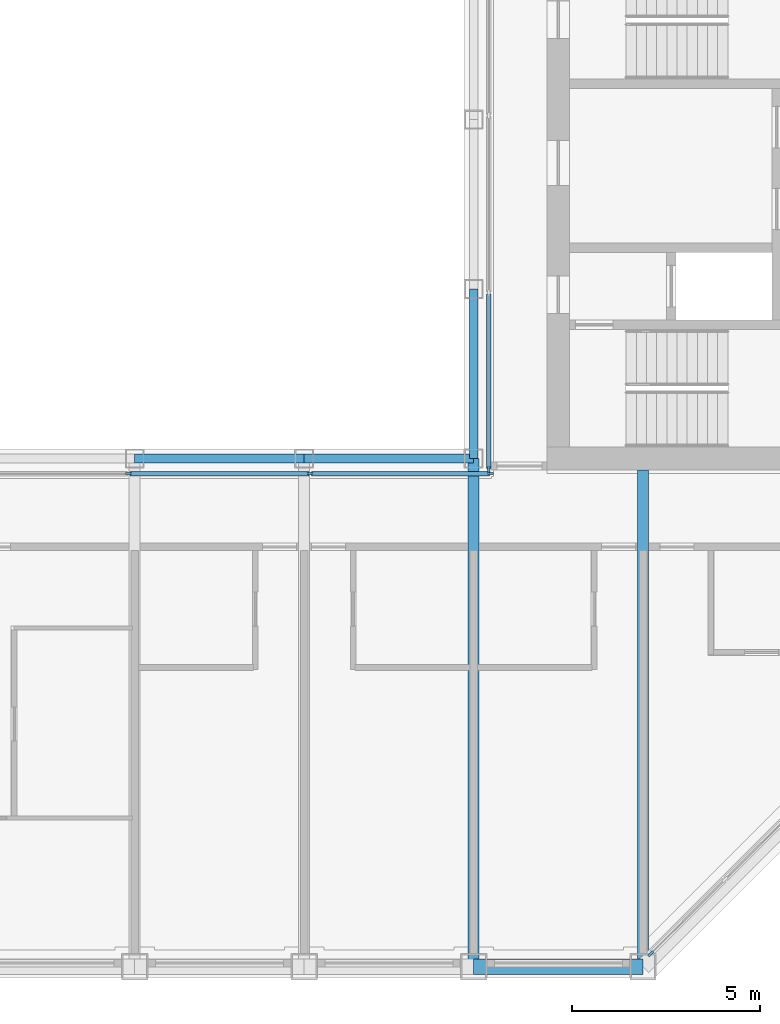
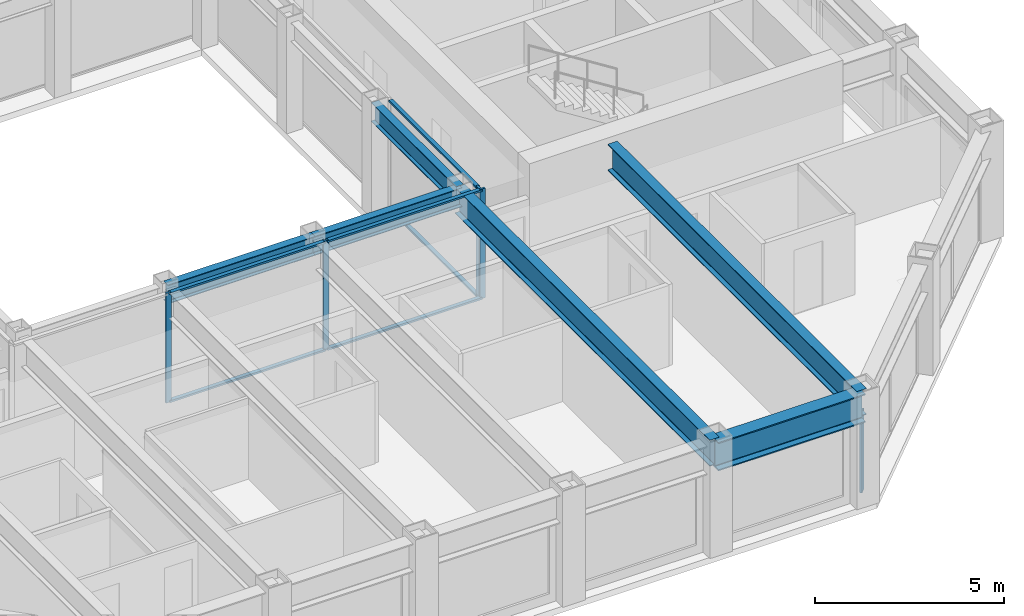
# One storey, part 3 of 18: 11 members, 6 beams, 3 elements without a shape of their own.
"""IFC4 building model written with IfcOpenShell, lengths in metres."""

from ifc_helpers import new_model, si_unit, direction, frame, origin, origin_2d, place, context, subcontext, project, spatial, rectangle, i_section, extrude, material, material_profile, profile_set, type_object, element, aggregate, save


model = new_model("IFC4")

# Units and contexts
model_context = context("Model", 3, precision=1e-05, world=origin(), true_north=direction((0.0, 1.0)))
body_context = subcontext(model_context, "Body", "Model", "MODEL_VIEW")
ifc_project = project(units=[si_unit("LENGTHUNIT", "METRE"), si_unit("AREAUNIT", "SQUARE_METRE"), si_unit("VOLUMEUNIT", "CUBIC_METRE"), si_unit("PLANEANGLEUNIT", "RADIAN"), si_unit("MASSUNIT", "GRAM", prefix="KILO")], contexts=[model_context])

# Site, building, storey
site_placement = place(None, origin())
site = spatial("IfcSite", under=ifc_project, at=site_placement, CompositionType="ELEMENT")
building_placement = place(site_placement, origin())
building = spatial("IfcBuilding", under=site, at=building_placement, Name="Msasa Ring Tower", CompositionType="ELEMENT")
storey_placement = place(building_placement, frame((0.0, 0.0, 227.050048828125)))
storey = spatial("IfcBuildingStorey", under=building, at=storey_placement, Name="L59", CompositionType="ELEMENT", Elevation=227.050048828125)

# Curtain wall, member
ifc_material_1 = material(Name="Aluminium curtain wall with clear glass", Category="aluminium")
curtain_wall_type_1 = type_object("IfcCurtainWallType", Name="CW-C CHAMFER CORNER CURTAIN WALL", PredefinedType="NOTDEFINED", material=ifc_material_1)
curtain_wall_1_placement = place(storey_placement, origin())
curtain_wall_1 = element("IfcCurtainWall", 1, at=curtain_wall_1_placement, inside=storey, type_object=curtain_wall_type_1, Name="Chamfer corner curtain wall SE L59", PredefinedType="NOTDEFINED")
ifc_material_2 = material(Name="Aluminium mullion", Category="aluminium")
ifc_material_profile_1 = material_profile(ifc_material_2, rectangle(XDim=0.06494140625, YDim=0.179931640625, at=origin_2d()), Name="AL 65x180")
ifc_profile_set_1 = profile_set([ifc_material_profile_1], Name="Aluminium mullion")
member_type_1 = type_object("IfcMemberType", Name="CW-C MULLION 65x180", PredefinedType="MULLION", material=ifc_profile_set_1)
member_1_placement = place(storey_placement, frame((11.453369140625, -19.9052734375, 0.0), z_axis=(0.0, 0.0, 1.0), x_axis=(-0.707106781187, 0.707106781187, 0.0)))
member_1 = element("IfcMember", 2, at=member_1_placement, type_object=member_type_1, Name="CW-C mullion 1", PredefinedType="MULLION", context=body_context, shape_type="SweptSolid", body=[
    extrude(rectangle(XDim=0.06494140625, YDim=0.179931640625, at=origin_2d()), origin(), (0.0, 0.0, 1.0), 2.62890625),
])
aggregate(curtain_wall_1, [member_1])

# Curtain wall, members
ifc_material_3 = material(Name="Aluminium curtain wall with clear glass", Category="aluminium")
curtain_wall_type_2 = type_object("IfcCurtainWallType", Name="CW-W LIGHT WELL CURTAIN WALL", PredefinedType="NOTDEFINED", material=ifc_material_3)
curtain_wall_2_placement = place(storey_placement, origin())
curtain_wall_2 = element("IfcCurtainWall", 3, at=curtain_wall_2_placement, inside=storey, type_object=curtain_wall_type_2, Name="Light well curtain wall S L59", PredefinedType="NOTDEFINED")
ifc_material_4 = material(Name="Aluminium mullion", Category="aluminium")
ifc_material_profile_2 = material_profile(ifc_material_4, rectangle(XDim=0.06005859375, YDim=0.159912109375, at=origin_2d()), Name="AL 60x160")
ifc_profile_set_2 = profile_set([ifc_material_profile_2], Name="Aluminium mullion")
member_type_2 = type_object("IfcMemberType", Name="CW-W MULLION 60x160", PredefinedType="MULLION", material=ifc_profile_set_2)
member_2_placement = place(storey_placement, frame((-2.409912109375, -7.14990234375, 0.0), z_axis=(0.0, 0.0, 1.0), x_axis=(0.0, 1.0, 0.0)))
member_2 = element("IfcMember", 4, at=member_2_placement, type_object=member_type_2, Name="CW-W mullion 2", PredefinedType="MULLION", context=body_context, shape_type="SweptSolid", body=[
    extrude(rectangle(XDim=0.06005859375, YDim=0.159912109375, at=origin_2d()), origin(), (0.0, 0.0, 1.0), 3.550048828125),
])
member_3_placement = place(storey_placement, frame((2.409912109375, -7.14990234375, 0.0), z_axis=(0.0, 0.0, 1.0), x_axis=(0.0, 1.0, 0.0)))
member_3 = element("IfcMember", 5, at=member_3_placement, type_object=member_type_2, Name="CW-W mullion 3", PredefinedType="MULLION", context=body_context, shape_type="SweptSolid", body=[
    extrude(rectangle(XDim=0.06005859375, YDim=0.159912109375, at=origin_2d()), origin(), (0.0, 0.0, 1.0), 3.550048828125),
])
member_4_placement = place(storey_placement, frame((7.199951171875, -7.14990234375, 0.0), z_axis=(0.0, 0.0, 1.0), x_axis=(0.0, 1.0, 0.0)))
member_4 = element("IfcMember", 6, at=member_4_placement, type_object=member_type_2, Name="CW-W mullion 4", PredefinedType="MULLION", context=body_context, shape_type="SweptSolid", body=[
    extrude(rectangle(XDim=0.06005859375, YDim=0.159912109375, at=origin_2d()), origin(), (0.0, 0.0, 1.0), 3.550048828125),
])

# Curtain wall, member
curtain_wall_3_placement = place(storey_placement, origin())
curtain_wall_3 = element("IfcCurtainWall", 7, at=curtain_wall_3_placement, inside=storey, type_object=curtain_wall_type_2, Name="Light well curtain wall E L59", PredefinedType="NOTDEFINED")
member_5_placement = place(storey_placement, frame((7.14990234375, -7.0400390625, 0.0), z_axis=(0.0, 0.0, 1.0), x_axis=(-1.0, 0.0, 0.0)))
member_5 = element("IfcMember", 8, at=member_5_placement, type_object=member_type_2, Name="CW-W mullion 1", PredefinedType="MULLION", context=body_context, shape_type="SweptSolid", body=[
    extrude(rectangle(XDim=0.06005859375, YDim=0.159912109375, at=origin_2d()), origin(), (0.0, 0.0, 1.0), 3.550048828125),
])

# Member
ifc_material_5 = material(Name="Aluminium transom", Category="aluminium")
ifc_material_profile_3 = material_profile(ifc_material_5, rectangle(XDim=0.1201171875, YDim=0.06005859375, at=origin_2d()), Name="AL 60x120")
ifc_profile_set_3 = profile_set([ifc_material_profile_3], Name="Aluminium transom")
member_type_3 = type_object("IfcMemberType", Name="CW-W TRANSOM 60x120", PredefinedType="USERDEFINED", material=ifc_profile_set_3)
member_6_placement = place(storey_placement, frame((-2.3798828125, -7.14990234375, 0.030029296875), z_axis=(1.0, 0.0, 0.0), x_axis=(0.0, 1.0, 0.0)))
member_6 = element("IfcMember", 9, at=member_6_placement, type_object=member_type_3, Name="CW-W transom 2.1", ObjectType="TRANSOM", PredefinedType="USERDEFINED", context=body_context, shape_type="SweptSolid", body=[
    extrude(rectangle(XDim=0.1201171875, YDim=0.06005859375, at=origin_2d()), origin(), (0.0, 0.0, 1.0), 4.759765625),
])

member_7_placement = place(storey_placement, frame((-2.3798828125, -7.14990234375, 3.52001953125), z_axis=(1.0, 0.0, 0.0), x_axis=(0.0, 1.0, 0.0)))
member_7 = element("IfcMember", 10, at=member_7_placement, type_object=member_type_3, Name="CW-W transom 2.2", ObjectType="TRANSOM", PredefinedType="USERDEFINED", context=body_context, shape_type="SweptSolid", body=[
    extrude(rectangle(XDim=0.1201171875, YDim=0.06005859375, at=origin_2d()), origin(), (0.0, 0.0, 1.0), 4.759765625),
])

member_8_placement = place(storey_placement, frame((2.43994140625, -7.14990234375, 0.030029296875), z_axis=(1.0, 0.0, 0.0), x_axis=(0.0, 1.0, 0.0)))
member_8 = element("IfcMember", 11, at=member_8_placement, type_object=member_type_3, Name="CW-W transom 3.1", ObjectType="TRANSOM", PredefinedType="USERDEFINED", context=body_context, shape_type="SweptSolid", body=[
    extrude(rectangle(XDim=0.1201171875, YDim=0.06005859375, at=origin_2d()), origin(), (0.0, 0.0, 1.0), 4.72998046875),
])

member_9_placement = place(storey_placement, frame((2.43994140625, -7.14990234375, 3.52001953125), z_axis=(1.0, 0.0, 0.0), x_axis=(0.0, 1.0, 0.0)))
member_9 = element("IfcMember", 12, at=member_9_placement, type_object=member_type_3, Name="CW-W transom 3.2", ObjectType="TRANSOM", PredefinedType="USERDEFINED", context=body_context, shape_type="SweptSolid", body=[
    extrude(rectangle(XDim=0.1201171875, YDim=0.06005859375, at=origin_2d()), origin(), (0.0, 0.0, 1.0), 4.72998046875),
])

aggregate(curtain_wall_2, [member_2, member_3, member_4, member_6, member_7, member_8, member_9])

member_10_placement = place(storey_placement, frame((7.14990234375, -7.010009765625, 0.030029296875), z_axis=(0.0, 1.0, 0.0), x_axis=(-1.0, 0.0, 0.0)))
member_10 = element("IfcMember", 13, at=member_10_placement, type_object=member_type_3, Name="CW-W transom 1.1", ObjectType="TRANSOM", PredefinedType="USERDEFINED", context=body_context, shape_type="SweptSolid", body=[
    extrude(rectangle(XDim=0.1201171875, YDim=0.06005859375, at=origin_2d()), origin(), (0.0, 0.0, 1.0), 4.623291015625),
])

member_11_placement = place(storey_placement, frame((7.14990234375, -7.010009765625, 3.52001953125), z_axis=(0.0, 1.0, 0.0), x_axis=(-1.0, 0.0, 0.0)))
member_11 = element("IfcMember", 14, at=member_11_placement, type_object=member_type_3, Name="CW-W transom 1.2", ObjectType="TRANSOM", PredefinedType="USERDEFINED", context=body_context, shape_type="SweptSolid", body=[
    extrude(rectangle(XDim=0.1201171875, YDim=0.06005859375, at=origin_2d()), origin(), (0.0, 0.0, 1.0), 4.623291015625),
])

aggregate(curtain_wall_3, [member_5, member_10, member_11])

# Beams
ifc_material_6 = material(Name="Steel S355", Category="steel")
ifc_material_profile_4 = material_profile(ifc_material_6, i_section(OverallWidth=0.293701171875, OverallDepth=0.850830078125, WebThickness=0.01611328125, FlangeThickness=0.02685546875, FilletRadius=0.017822265625, at=origin_2d()), Name="UB 838x292x226")
ifc_profile_set_4 = profile_set([ifc_material_profile_4], Name="Steel S355")
beam_type_1 = type_object("IfcBeamType", Name="FB5 UB 838x292x226", PredefinedType="BEAM", material=ifc_profile_set_4)
beam_1_placement = place(storey_placement, frame((6.75, -20.25, 3.12451171875), z_axis=(0.0, 1.0, 0.0), x_axis=(-1.0, 0.0, 0.0)))
element("IfcBeam", 15, at=beam_1_placement, inside=storey, type_object=beam_type_1, Name="Floor beam S+6.75 under L60", PredefinedType="BEAM", context=body_context, shape_type="SweptSolid", body=[
    extrude(i_section(OverallWidth=0.293701171875, OverallDepth=0.850830078125, WebThickness=0.01611328125, FlangeThickness=0.02685546875, FilletRadius=0.017822265625, at=origin_2d()), origin(), (0.0, 0.0, 1.0), 13.5),
])
beam_2_placement = place(storey_placement, frame((11.25, -20.25, 3.12451171875), z_axis=(0.0, 1.0, 0.0), x_axis=(-1.0, 0.0, 0.0)))
element("IfcBeam", 16, at=beam_2_placement, inside=storey, type_object=beam_type_1, Name="Floor beam S+11.25 under L60", PredefinedType="BEAM", context=body_context, shape_type="SweptSolid", body=[
    extrude(i_section(OverallWidth=0.293701171875, OverallDepth=0.850830078125, WebThickness=0.01611328125, FlangeThickness=0.02685546875, FilletRadius=0.017822265625, at=origin_2d()), origin(), (0.0, 0.0, 1.0), 13.199951171875),
])
ifc_material_7 = material(Name="Steel S355", Category="steel")
ifc_material_profile_5 = material_profile(ifc_material_7, i_section(OverallWidth=0.230224609375, OverallDepth=0.6171875, WebThickness=0.01318359375, FlangeThickness=0.022216796875, FilletRadius=0.0126953125, at=origin_2d()), Name="UB 610x229x140")
ifc_profile_set_5 = profile_set([ifc_material_profile_5], Name="Steel S355")
beam_type_2 = type_object("IfcBeamType", Name="RB1 UB 610x229x140", PredefinedType="BEAM", material=ifc_profile_set_5)
for number, where, z_axis, x_axis, name in (
    (17, (-2.25, -6.75, 3.241455078125), (1.0, 0.0, 0.0), (0.0, 1.0, 0.0), "Inner ring beam IR-2.25-6.75 under L60"),
    (18, (2.25, -6.75, 3.241455078125), (1.0, 0.0, 0.0), (0.0, 1.0, 0.0), "Inner ring beam IR+2.25-6.75 under L60"),
    (19, (6.75, -6.75, 3.241455078125), (0.0, 1.0, 0.0), (-1.0, 0.0, 0.0), "Inner ring beam IR+6.75-6.75 under L60"),
):
    element("IfcBeam", number, at=place(storey_placement, frame(where, z_axis=z_axis, x_axis=x_axis)), inside=storey, type_object=beam_type_2, Name=name, PredefinedType="BEAM", context=body_context, shape_type="SweptSolid", body=[
        extrude(i_section(OverallWidth=0.230224609375, OverallDepth=0.6171875, WebThickness=0.01318359375, FlangeThickness=0.022216796875, FilletRadius=0.0126953125, at=origin_2d()), origin(), (0.0, 0.0, 1.0), 4.5),
    ])
ifc_material_8 = material(Name="Steel S355", Category="steel")
ifc_material_profile_6 = material_profile(ifc_material_8, i_section(OverallWidth=0.42041015625, OverallDepth=0.9208984375, WebThickness=0.021484375, FlangeThickness=0.03662109375, FilletRadius=0.024169921875, at=origin_2d()), Name="UB 914x419x388")
ifc_profile_set_6 = profile_set([ifc_material_profile_6], Name="Steel S355")
beam_type_3 = type_object("IfcBeamType", Name="SB1 UB 914x419x388", PredefinedType="SPANDREL", material=ifc_profile_set_6)
beam_3_placement = place(storey_placement, frame((6.75, -20.25, 3.08935546875), z_axis=(1.0, 0.0, 0.0), x_axis=(0.0, 1.0, 0.0)))
element("IfcBeam", 20, at=beam_3_placement, inside=storey, type_object=beam_type_3, Name="Spandrel S+6.75 to S+11.25 under L60", PredefinedType="SPANDREL", context=body_context, shape_type="SweptSolid", body=[
    extrude(i_section(OverallWidth=0.42041015625, OverallDepth=0.9208984375, WebThickness=0.021484375, FlangeThickness=0.03662109375, FilletRadius=0.024169921875, at=origin_2d()), origin(), (0.0, 0.0, 1.0), 4.5),
])

save(model, "model.ifc")
